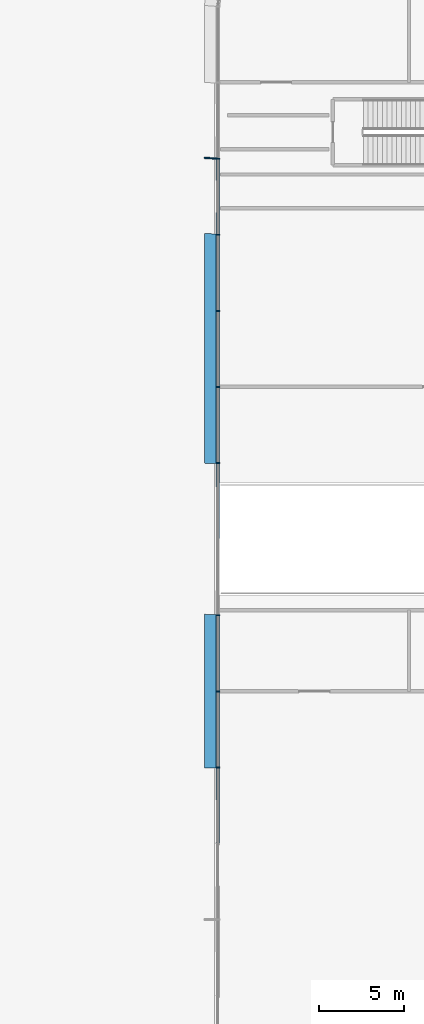
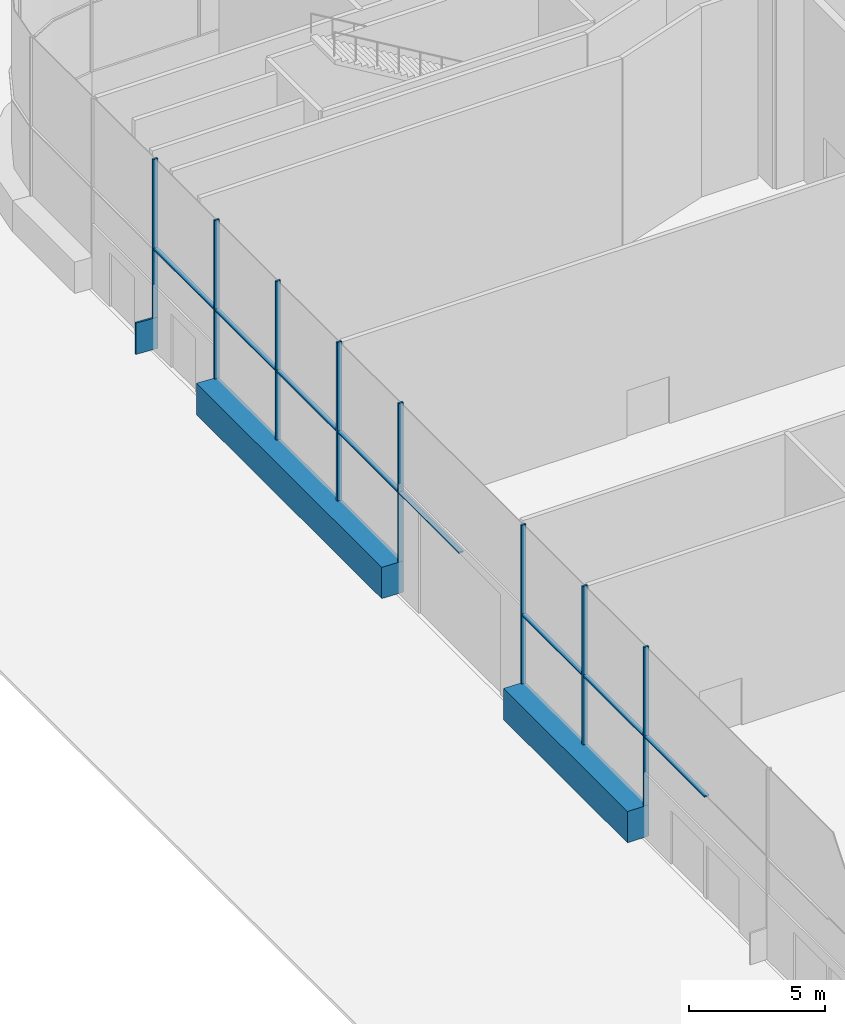
# One storey, part 7 of 54: 19 members, 1 element without a shape of its own.
"""IFC4 building model written with IfcOpenShell, lengths in metres."""

from ifc_helpers import new_model, si_unit, direction, frame, origin, origin_2d, place, context, subcontext, project, spatial, polyline, rectangle, outline, extrude, material, layer, layer_set, material_profile, profile_set, type_object, element, aggregate, save


model = new_model("IFC4")

# Units and contexts
model_context = context("Model", 3, precision=1e-05, world=origin(), true_north=direction((0.0, 1.0)))
body_context = subcontext(model_context, "Body", "Model", "MODEL_VIEW")
ifc_project = project(units=[si_unit("LENGTHUNIT", "METRE"), si_unit("AREAUNIT", "SQUARE_METRE"), si_unit("VOLUMEUNIT", "CUBIC_METRE"), si_unit("PLANEANGLEUNIT", "RADIAN"), si_unit("MASSUNIT", "GRAM", prefix="KILO")], contexts=[model_context])

# Site, building, storey
site_placement = place(None, origin())
site = spatial("IfcSite", under=ifc_project, at=site_placement, CompositionType="ELEMENT")
building_placement = place(site_placement, origin())
building = spatial("IfcBuilding", under=site, at=building_placement, Name="Tamarind Cross Interchange Tower", CompositionType="ELEMENT")
storey_placement = place(building_placement, origin())
storey = spatial("IfcBuildingStorey", under=building, at=storey_placement, Name="L00", CompositionType="ELEMENT", Elevation=0.0)

# Curtain wall, members
ifc_material_1 = material(Name="Aluminium 6063-T6", Category="aluminium")
ifc_layer = layer(ifc_material_1, 0.199951171875)
ifc_layer_set = layer_set([ifc_layer], Name="Aluminium 6063-T6")
curtain_wall_type = type_object("IfcCurtainWallType", Name="Podium shopfront and station curtain wall", PredefinedType="NOTDEFINED", material=ifc_layer_set)
curtain_wall_placement = place(storey_placement, origin())
curtain_wall = element("IfcCurtainWall", 1, at=curtain_wall_placement, inside=storey, type_object=curtain_wall_type, Name="CWS-L00-04", PredefinedType="NOTDEFINED")
ifc_material_2 = material(Name="Aluminium and insulated spandrel panel", Category="aluminium")
member_type_1 = type_object("IfcMemberType", Name="Floor-edge blade transom", PredefinedType="USERDEFINED", material=ifc_material_2)
member_1_placement = place(storey_placement, origin())
member_1 = element("IfcMember", 2, at=member_1_placement, type_object=member_type_1, Name="CWT-L00-04-1", ObjectType="TRANSOM", PredefinedType="USERDEFINED", context=body_context, shape_type="SweptSolid", body=[
    extrude(outline(polyline([(-69.699951171875, 45.020263671875), (-69.699951171875, 44.9404296875), (-70.60009765625, 44.999267578125), (-70.60009765625, 45.079345703125), (-69.699951171875, 45.020263671875)])), origin(), (0.0, 0.0, 1.0), 1.39990234375),
])
member_2_placement = place(storey_placement, origin())
member_2 = element("IfcMember", 3, at=member_2_placement, type_object=member_type_1, Name="CWT-L00-04-2", ObjectType="TRANSOM", PredefinedType="USERDEFINED", context=body_context, shape_type="SweptSolid", body=[
    extrude(outline(polyline([(-69.699951171875, 40.522216796875), (-69.699951171875, 26.9482421875), (-70.60009765625, 26.983642578125), (-70.60009765625, 40.575439453125), (-69.699951171875, 40.522216796875)])), origin(), (0.0, 0.0, 1.0), 1.39990234375),
])
member_3_placement = place(storey_placement, origin())
member_3 = element("IfcMember", 4, at=member_3_placement, type_object=member_type_1, Name="CWT-L00-04-3", ObjectType="TRANSOM", PredefinedType="USERDEFINED", context=body_context, shape_type="SweptSolid", body=[
    extrude(outline(polyline([(-69.699951171875, 18.0322265625), (-69.699951171875, 8.9560546875), (-70.60009765625, 8.9677734375), (-70.60009765625, 18.0556640625), (-69.699951171875, 18.0322265625)])), origin(), (0.0, 0.0, 1.0), 1.39990234375),
])
ifc_material_profile = material_profile(ifc_material_1, rectangle(XDim=0.080078125, YDim=0.199951171875, at=origin_2d()), Name="Mullion CW3")
ifc_profile_set = profile_set([ifc_material_profile], Name="Aluminium 6063-T6")
member_type_2 = type_object("IfcMemberType", Name="Mullion CW3", PredefinedType="MULLION", material=ifc_profile_set)
member_4_placement = place(storey_placement, frame((-69.800048828125, 44.98681640625, 1.39990234375), z_axis=(0.0, 0.0, 1.0), x_axis=(0.0, -1.0, 0.0)))
member_4 = element("IfcMember", 5, at=member_4_placement, type_object=member_type_2, Name="CWM-L00-04-02", PredefinedType="MULLION", context=body_context, shape_type="SweptSolid", body=[
    extrude(rectangle(XDim=0.080078125, YDim=0.199951171875, at=origin_2d()), origin(), (0.0, 0.0, 1.0), 7.10009765625),
])
member_5_placement = place(storey_placement, frame((-69.800048828125, 40.48828125, 1.39990234375), z_axis=(0.0, 0.0, 1.0), x_axis=(0.0, -1.0, 0.0)))
member_5 = element("IfcMember", 6, at=member_5_placement, type_object=member_type_2, Name="CWM-L00-04-03", PredefinedType="MULLION", context=body_context, shape_type="SweptSolid", body=[
    extrude(rectangle(XDim=0.080078125, YDim=0.199951171875, at=origin_2d()), origin(), (0.0, 0.0, 1.0), 7.10009765625),
])
member_6_placement = place(storey_placement, frame((-69.800048828125, 35.989501953125, 1.39990234375), z_axis=(0.0, 0.0, 1.0), x_axis=(0.0, -1.0, 0.0)))
member_6 = element("IfcMember", 7, at=member_6_placement, type_object=member_type_2, Name="CWM-L00-04-04", PredefinedType="MULLION", context=body_context, shape_type="SweptSolid", body=[
    extrude(rectangle(XDim=0.080078125, YDim=0.199951171875, at=origin_2d()), origin(), (0.0, 0.0, 1.0), 7.10009765625),
])
member_7_placement = place(storey_placement, frame((-69.800048828125, 31.49072265625, 1.39990234375), z_axis=(0.0, 0.0, 1.0), x_axis=(0.0, -1.0, 0.0)))
member_7 = element("IfcMember", 8, at=member_7_placement, type_object=member_type_2, Name="CWM-L00-04-05", PredefinedType="MULLION", context=body_context, shape_type="SweptSolid", body=[
    extrude(rectangle(XDim=0.080078125, YDim=0.199951171875, at=origin_2d()), origin(), (0.0, 0.0, 1.0), 7.10009765625),
])
member_8_placement = place(storey_placement, frame((-69.800048828125, 26.9921875, 1.39990234375), z_axis=(0.0, 0.0, 1.0), x_axis=(0.0, -1.0, 0.0)))
member_8 = element("IfcMember", 9, at=member_8_placement, type_object=member_type_2, Name="CWM-L00-04-06", PredefinedType="MULLION", context=body_context, shape_type="SweptSolid", body=[
    extrude(rectangle(XDim=0.080078125, YDim=0.199951171875, at=origin_2d()), origin(), (0.0, 0.0, 1.0), 7.10009765625),
])
member_9_placement = place(storey_placement, frame((-69.800048828125, 17.994873046875, 1.39990234375), z_axis=(0.0, 0.0, 1.0), x_axis=(0.0, -1.0, 0.0)))
member_9 = element("IfcMember", 10, at=member_9_placement, type_object=member_type_2, Name="CWM-L00-04-08", PredefinedType="MULLION", context=body_context, shape_type="SweptSolid", body=[
    extrude(rectangle(XDim=0.080078125, YDim=0.199951171875, at=origin_2d()), origin(), (0.0, 0.0, 1.0), 7.10009765625),
])
member_10_placement = place(storey_placement, frame((-69.800048828125, 13.49609375, 1.39990234375), z_axis=(0.0, 0.0, 1.0), x_axis=(0.0, -1.0, 0.0)))
member_10 = element("IfcMember", 11, at=member_10_placement, type_object=member_type_2, Name="CWM-L00-04-09", PredefinedType="MULLION", context=body_context, shape_type="SweptSolid", body=[
    extrude(rectangle(XDim=0.080078125, YDim=0.199951171875, at=origin_2d()), origin(), (0.0, 0.0, 1.0), 7.10009765625),
])
member_11_placement = place(storey_placement, frame((-69.800048828125, 8.997314453125, 1.39990234375), z_axis=(0.0, 0.0, 1.0), x_axis=(0.0, -1.0, 0.0)))
member_11 = element("IfcMember", 12, at=member_11_placement, type_object=member_type_2, Name="CWM-L00-04-10", PredefinedType="MULLION", context=body_context, shape_type="SweptSolid", body=[
    extrude(rectangle(XDim=0.080078125, YDim=0.199951171875, at=origin_2d()), origin(), (0.0, 0.0, 1.0), 7.10009765625),
])
member_type_3 = type_object("IfcMemberType", Name="Podium intermediate transom", PredefinedType="USERDEFINED", material=ifc_material_1)
member_12_placement = place(storey_placement, frame((0.0, 0.0, 4.469970703125)))
member_12 = element("IfcMember", 13, at=member_12_placement, type_object=member_type_3, Name="CWT-L00-04-I0-02", ObjectType="TRANSOM", PredefinedType="USERDEFINED", context=body_context, shape_type="SweptSolid", body=[
    extrude(outline(polyline([(-69.699951171875, 44.94677734375), (-69.699951171875, 40.528076171875), (-69.89990234375, 40.528076171875), (-69.89990234375, 44.94677734375), (-69.699951171875, 44.94677734375)])), origin(), (0.0, 0.0, 1.0), 0.06005859375),
])
member_13_placement = place(storey_placement, frame((0.0, 0.0, 4.469970703125)))
member_13 = element("IfcMember", 14, at=member_13_placement, type_object=member_type_3, Name="CWT-L00-04-I0-03", ObjectType="TRANSOM", PredefinedType="USERDEFINED", context=body_context, shape_type="SweptSolid", body=[
    extrude(outline(polyline([(-69.699951171875, 40.4482421875), (-69.699951171875, 36.029541015625), (-69.89990234375, 36.029541015625), (-69.89990234375, 40.4482421875), (-69.699951171875, 40.4482421875)])), origin(), (0.0, 0.0, 1.0), 0.06005859375),
])
member_14_placement = place(storey_placement, frame((0.0, 0.0, 4.469970703125)))
member_14 = element("IfcMember", 15, at=member_14_placement, type_object=member_type_3, Name="CWT-L00-04-I0-04", ObjectType="TRANSOM", PredefinedType="USERDEFINED", context=body_context, shape_type="SweptSolid", body=[
    extrude(outline(polyline([(-69.699951171875, 35.949462890625), (-69.699951171875, 31.53076171875), (-69.89990234375, 31.53076171875), (-69.89990234375, 35.949462890625), (-69.699951171875, 35.949462890625)])), origin(), (0.0, 0.0, 1.0), 0.06005859375),
])
member_15_placement = place(storey_placement, frame((0.0, 0.0, 4.469970703125)))
member_15 = element("IfcMember", 16, at=member_15_placement, type_object=member_type_3, Name="CWT-L00-04-I0-05", ObjectType="TRANSOM", PredefinedType="USERDEFINED", context=body_context, shape_type="SweptSolid", body=[
    extrude(outline(polyline([(-69.699951171875, 31.450927734375), (-69.699951171875, 27.0322265625), (-69.89990234375, 27.0322265625), (-69.89990234375, 31.450927734375), (-69.699951171875, 31.450927734375)])), origin(), (0.0, 0.0, 1.0), 0.06005859375),
])
member_16_placement = place(storey_placement, frame((0.0, 0.0, 4.469970703125)))
member_16 = element("IfcMember", 17, at=member_16_placement, type_object=member_type_3, Name="CWT-L00-04-I0-06", ObjectType="TRANSOM", PredefinedType="USERDEFINED", context=body_context, shape_type="SweptSolid", body=[
    extrude(outline(polyline([(-69.699951171875, 26.9521484375), (-69.699951171875, 22.533447265625), (-69.89990234375, 22.533447265625), (-69.89990234375, 26.9521484375), (-69.699951171875, 26.9521484375)])), origin(), (0.0, 0.0, 1.0), 0.06005859375),
])
member_17_placement = place(storey_placement, frame((0.0, 0.0, 4.469970703125)))
member_17 = element("IfcMember", 18, at=member_17_placement, type_object=member_type_3, Name="CWT-L00-04-I0-08", ObjectType="TRANSOM", PredefinedType="USERDEFINED", context=body_context, shape_type="SweptSolid", body=[
    extrude(outline(polyline([(-69.699951171875, 17.954833984375), (-69.699951171875, 13.5361328125), (-69.89990234375, 13.5361328125), (-69.89990234375, 17.954833984375), (-69.699951171875, 17.954833984375)])), origin(), (0.0, 0.0, 1.0), 0.06005859375),
])
member_18_placement = place(storey_placement, frame((0.0, 0.0, 4.469970703125)))
member_18 = element("IfcMember", 19, at=member_18_placement, type_object=member_type_3, Name="CWT-L00-04-I0-09", ObjectType="TRANSOM", PredefinedType="USERDEFINED", context=body_context, shape_type="SweptSolid", body=[
    extrude(outline(polyline([(-69.699951171875, 13.4560546875), (-69.699951171875, 9.037353515625), (-69.89990234375, 9.037353515625), (-69.89990234375, 13.4560546875), (-69.699951171875, 13.4560546875)])), origin(), (0.0, 0.0, 1.0), 0.06005859375),
])
member_19_placement = place(storey_placement, frame((0.0, 0.0, 4.469970703125)))
member_19 = element("IfcMember", 20, at=member_19_placement, type_object=member_type_3, Name="CWT-L00-04-I0-10", ObjectType="TRANSOM", PredefinedType="USERDEFINED", context=body_context, shape_type="SweptSolid", body=[
    extrude(outline(polyline([(-69.699951171875, 8.957275390625), (-69.699951171875, 4.53857421875), (-69.89990234375, 4.53857421875), (-69.89990234375, 8.957275390625), (-69.699951171875, 8.957275390625)])), origin(), (0.0, 0.0, 1.0), 0.06005859375),
])
aggregate(curtain_wall, [member_4, member_5, member_6, member_7, member_8, member_9, member_10, member_11, member_12, member_13, member_14, member_15, member_16, member_17, member_18, member_19, member_1, member_2, member_3])

save(model, "model.ifc")
